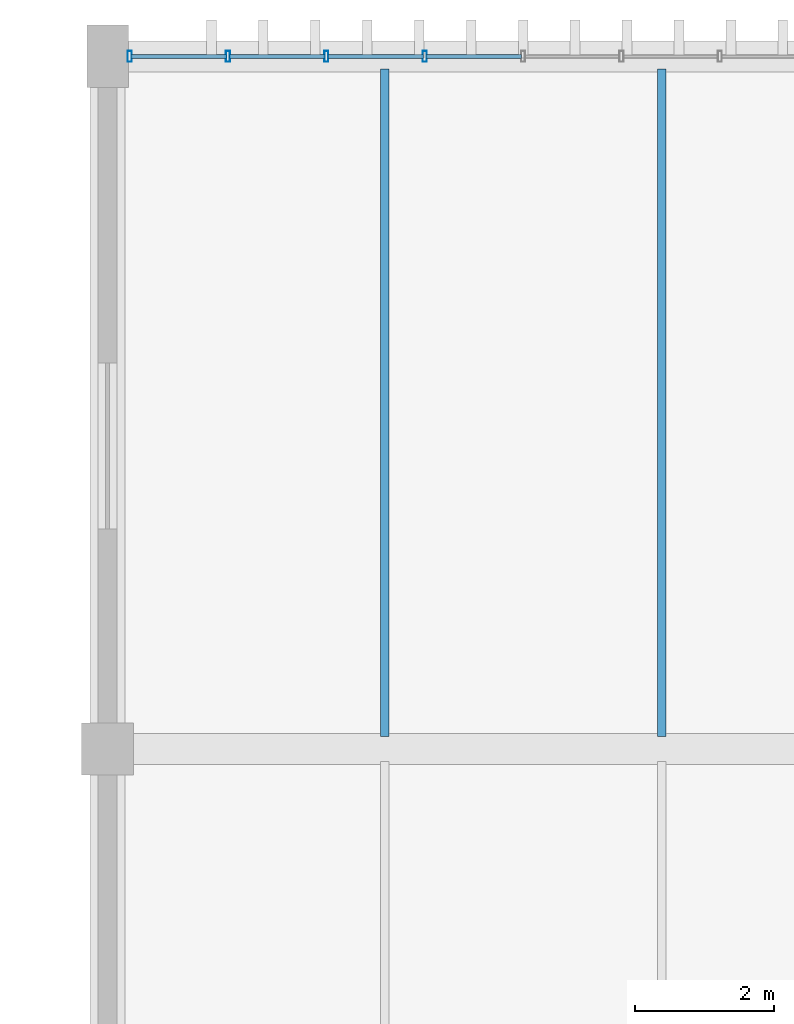
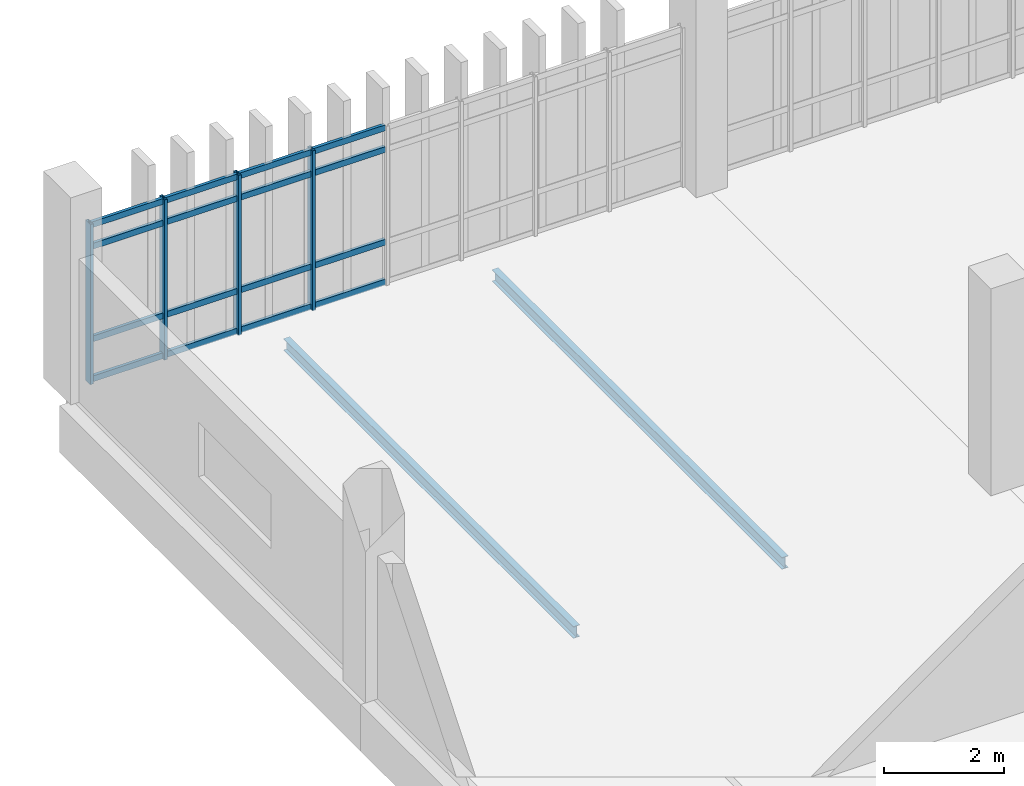
# One storey, part 29 of 111: 20 members, 2 beams, 1 element without a shape of its own.
"""IFC4 building model written with IfcOpenShell, lengths in metres."""

from ifc_helpers import new_model, si_unit, direction, frame, origin, origin_2d, place, context, subcontext, project, spatial, hollow_rectangle, i_section, extrude, material, layer, layer_set, material_profile, profile_set, type_object, element, aggregate, save


model = new_model("IFC4")

# Units and contexts
model_context = context("Model", 3, precision=1e-05, world=origin(), true_north=direction((0.0, 1.0)))
body_context = subcontext(model_context, "Body", "Model", "MODEL_VIEW")
ifc_project = project(units=[si_unit("LENGTHUNIT", "METRE"), si_unit("AREAUNIT", "SQUARE_METRE"), si_unit("VOLUMEUNIT", "CUBIC_METRE"), si_unit("PLANEANGLEUNIT", "RADIAN"), si_unit("MASSUNIT", "GRAM", prefix="KILO")], contexts=[model_context])

# Site, building, storey
site_placement = place(None, origin())
site = spatial("IfcSite", under=ifc_project, at=site_placement, CompositionType="ELEMENT")
building_placement = place(site_placement, origin())
building = spatial("IfcBuilding", under=site, at=building_placement, Name="Mersad Railyard Sports Hall", CompositionType="ELEMENT")
storey_placement = place(building_placement, frame((0.0, 0.0, 9.0)))
storey = spatial("IfcBuildingStorey", under=building, at=storey_placement, Name="L02", CompositionType="ELEMENT", Elevation=9.0)

# Curtain wall, members
ifc_material_1 = material(Name="Aluminium 6063-T6", Category="aluminium")
ifc_layer = layer(ifc_material_1, 0.159912109375)
ifc_layer_set = layer_set([ifc_layer], Name="Aluminium 6063-T6")
curtain_wall_type = type_object("IfcCurtainWallType", Name="ARC-CW-CW52", PredefinedType="USERDEFINED", material=ifc_layer_set)
curtain_wall_placement = place(storey_placement, origin())
curtain_wall = element("IfcCurtainWall", 1, at=curtain_wall_placement, inside=storey, type_object=curtain_wall_type, Name="Curtain wall CW52-0138", ObjectType="CURTAIN WALL", PredefinedType="USERDEFINED")
ifc_material_profile_1 = material_profile(ifc_material_1, hollow_rectangle(XDim=0.06005859375, YDim=0.159912109375, WallThickness=0.00390625, at=origin_2d()), Name="AL MULLION 60x160x4")
ifc_profile_set_1 = profile_set([ifc_material_profile_1], Name="Aluminium 6063-T6")
member_type_1 = type_object("IfcMemberType", Name="ARC-CW-MUL01", PredefinedType="MULLION", material=ifc_profile_set_1)
member_1_placement = place(storey_placement, frame((43.320068359375, 115.0, -0.02001953125), z_axis=(0.0, 0.0, 1.0), x_axis=(1.0, 0.0, 0.0)))
member_1 = element("IfcMember", 2, at=member_1_placement, type_object=member_type_1, Name="CW52 Mullion 1", PredefinedType="MULLION", context=body_context, shape_type="SweptSolid", body=[
    extrude(hollow_rectangle(XDim=0.06005859375, YDim=0.159912109375, WallThickness=0.00390625, at=origin_2d()), origin(), (0.0, 0.0, 1.0), 3.25),
])
member_2_placement = place(storey_placement, frame((44.739990234375, 115.0, -0.02001953125), z_axis=(0.0, 0.0, 1.0), x_axis=(1.0, 0.0, 0.0)))
member_2 = element("IfcMember", 3, at=member_2_placement, type_object=member_type_1, Name="CW52 Mullion 2", PredefinedType="MULLION", context=body_context, shape_type="SweptSolid", body=[
    extrude(hollow_rectangle(XDim=0.06005859375, YDim=0.159912109375, WallThickness=0.00390625, at=origin_2d()), origin(), (0.0, 0.0, 1.0), 3.25),
])
member_3_placement = place(storey_placement, frame((46.159912109375, 115.0, -0.02001953125), z_axis=(0.0, 0.0, 1.0), x_axis=(1.0, 0.0, 0.0)))
member_3 = element("IfcMember", 4, at=member_3_placement, type_object=member_type_1, Name="CW52 Mullion 3", PredefinedType="MULLION", context=body_context, shape_type="SweptSolid", body=[
    extrude(hollow_rectangle(XDim=0.06005859375, YDim=0.159912109375, WallThickness=0.00390625, at=origin_2d()), origin(), (0.0, 0.0, 1.0), 3.25),
])
member_4_placement = place(storey_placement, frame((47.580078125, 115.0, -0.02001953125), z_axis=(0.0, 0.0, 1.0), x_axis=(1.0, 0.0, 0.0)))
member_4 = element("IfcMember", 5, at=member_4_placement, type_object=member_type_1, Name="CW52 Mullion 4", PredefinedType="MULLION", context=body_context, shape_type="SweptSolid", body=[
    extrude(hollow_rectangle(XDim=0.06005859375, YDim=0.159912109375, WallThickness=0.00390625, at=origin_2d()), origin(), (0.0, 0.0, 1.0), 3.25),
])
ifc_material_profile_2 = material_profile(ifc_material_1, hollow_rectangle(XDim=0.06005859375, YDim=0.1201171875, WallThickness=0.00390625, at=origin_2d()), Name="AL TRANSOM 60x120x4")
ifc_profile_set_2 = profile_set([ifc_material_profile_2], Name="Aluminium 6063-T6")
member_type_2 = type_object("IfcMemberType", Name="ARC-CW-TRN01", PredefinedType="USERDEFINED", material=ifc_profile_set_2)
member_5_placement = place(storey_placement, frame((43.340087890625, 115.0, 0.0400390625), z_axis=(1.0, 0.0, 0.0), x_axis=(0.0, 1.0, 0.0)))
member_5 = element("IfcMember", 6, at=member_5_placement, type_object=member_type_2, Name="CW52 Transom 1-1", ObjectType="TRANSOM", PredefinedType="USERDEFINED", context=body_context, shape_type="SweptSolid", body=[
    extrude(hollow_rectangle(XDim=0.06005859375, YDim=0.1201171875, WallThickness=0.00390625, at=origin_2d()), origin(), (0.0, 0.0, 1.0), 1.3798828125),
])
member_6_placement = place(storey_placement, frame((44.760009765625, 115.0, 0.0400390625), z_axis=(1.0, 0.0, 0.0), x_axis=(0.0, 1.0, 0.0)))
member_6 = element("IfcMember", 7, at=member_6_placement, type_object=member_type_2, Name="CW52 Transom 1-2", ObjectType="TRANSOM", PredefinedType="USERDEFINED", context=body_context, shape_type="SweptSolid", body=[
    extrude(hollow_rectangle(XDim=0.06005859375, YDim=0.1201171875, WallThickness=0.00390625, at=origin_2d()), origin(), (0.0, 0.0, 1.0), 1.3798828125),
])
member_7_placement = place(storey_placement, frame((46.179931640625, 115.0, 0.0400390625), z_axis=(1.0, 0.0, 0.0), x_axis=(0.0, 1.0, 0.0)))
member_7 = element("IfcMember", 8, at=member_7_placement, type_object=member_type_2, Name="CW52 Transom 1-3", ObjectType="TRANSOM", PredefinedType="USERDEFINED", context=body_context, shape_type="SweptSolid", body=[
    extrude(hollow_rectangle(XDim=0.06005859375, YDim=0.1201171875, WallThickness=0.00390625, at=origin_2d()), origin(), (0.0, 0.0, 1.0), 1.380126953125),
])
member_8_placement = place(storey_placement, frame((47.60009765625, 115.0, 0.0400390625), z_axis=(1.0, 0.0, 0.0), x_axis=(0.0, 1.0, 0.0)))
member_8 = element("IfcMember", 9, at=member_8_placement, type_object=member_type_2, Name="CW52 Transom 1-4", ObjectType="TRANSOM", PredefinedType="USERDEFINED", context=body_context, shape_type="SweptSolid", body=[
    extrude(hollow_rectangle(XDim=0.06005859375, YDim=0.1201171875, WallThickness=0.00390625, at=origin_2d()), origin(), (0.0, 0.0, 1.0), 1.3798828125),
])
member_9_placement = place(storey_placement, frame((43.340087890625, 115.0, 0.85009765625), z_axis=(1.0, 0.0, 0.0), x_axis=(0.0, 1.0, 0.0)))
member_9 = element("IfcMember", 10, at=member_9_placement, type_object=member_type_2, Name="CW52 Transom 2-1", ObjectType="TRANSOM", PredefinedType="USERDEFINED", context=body_context, shape_type="SweptSolid", body=[
    extrude(hollow_rectangle(XDim=0.06005859375, YDim=0.1201171875, WallThickness=0.00390625, at=origin_2d()), origin(), (0.0, 0.0, 1.0), 1.3798828125),
])
member_10_placement = place(storey_placement, frame((44.760009765625, 115.0, 0.85009765625), z_axis=(1.0, 0.0, 0.0), x_axis=(0.0, 1.0, 0.0)))
member_10 = element("IfcMember", 11, at=member_10_placement, type_object=member_type_2, Name="CW52 Transom 2-2", ObjectType="TRANSOM", PredefinedType="USERDEFINED", context=body_context, shape_type="SweptSolid", body=[
    extrude(hollow_rectangle(XDim=0.06005859375, YDim=0.1201171875, WallThickness=0.00390625, at=origin_2d()), origin(), (0.0, 0.0, 1.0), 1.3798828125),
])
member_11_placement = place(storey_placement, frame((46.179931640625, 115.0, 0.85009765625), z_axis=(1.0, 0.0, 0.0), x_axis=(0.0, 1.0, 0.0)))
member_11 = element("IfcMember", 12, at=member_11_placement, type_object=member_type_2, Name="CW52 Transom 2-3", ObjectType="TRANSOM", PredefinedType="USERDEFINED", context=body_context, shape_type="SweptSolid", body=[
    extrude(hollow_rectangle(XDim=0.06005859375, YDim=0.1201171875, WallThickness=0.00390625, at=origin_2d()), origin(), (0.0, 0.0, 1.0), 1.380126953125),
])
member_12_placement = place(storey_placement, frame((47.60009765625, 115.0, 0.85009765625), z_axis=(1.0, 0.0, 0.0), x_axis=(0.0, 1.0, 0.0)))
member_12 = element("IfcMember", 13, at=member_12_placement, type_object=member_type_2, Name="CW52 Transom 2-4", ObjectType="TRANSOM", PredefinedType="USERDEFINED", context=body_context, shape_type="SweptSolid", body=[
    extrude(hollow_rectangle(XDim=0.06005859375, YDim=0.1201171875, WallThickness=0.00390625, at=origin_2d()), origin(), (0.0, 0.0, 1.0), 1.3798828125),
])
member_13_placement = place(storey_placement, frame((43.340087890625, 115.0, 2.72998046875), z_axis=(1.0, 0.0, 0.0), x_axis=(0.0, 1.0, 0.0)))
member_13 = element("IfcMember", 14, at=member_13_placement, type_object=member_type_2, Name="CW52 Transom 3-1", ObjectType="TRANSOM", PredefinedType="USERDEFINED", context=body_context, shape_type="SweptSolid", body=[
    extrude(hollow_rectangle(XDim=0.06005859375, YDim=0.1201171875, WallThickness=0.00390625, at=origin_2d()), origin(), (0.0, 0.0, 1.0), 1.3798828125),
])
member_14_placement = place(storey_placement, frame((44.760009765625, 115.0, 2.72998046875), z_axis=(1.0, 0.0, 0.0), x_axis=(0.0, 1.0, 0.0)))
member_14 = element("IfcMember", 15, at=member_14_placement, type_object=member_type_2, Name="CW52 Transom 3-2", ObjectType="TRANSOM", PredefinedType="USERDEFINED", context=body_context, shape_type="SweptSolid", body=[
    extrude(hollow_rectangle(XDim=0.06005859375, YDim=0.1201171875, WallThickness=0.00390625, at=origin_2d()), origin(), (0.0, 0.0, 1.0), 1.3798828125),
])
member_15_placement = place(storey_placement, frame((46.179931640625, 115.0, 2.72998046875), z_axis=(1.0, 0.0, 0.0), x_axis=(0.0, 1.0, 0.0)))
member_15 = element("IfcMember", 16, at=member_15_placement, type_object=member_type_2, Name="CW52 Transom 3-3", ObjectType="TRANSOM", PredefinedType="USERDEFINED", context=body_context, shape_type="SweptSolid", body=[
    extrude(hollow_rectangle(XDim=0.06005859375, YDim=0.1201171875, WallThickness=0.00390625, at=origin_2d()), origin(), (0.0, 0.0, 1.0), 1.380126953125),
])
member_16_placement = place(storey_placement, frame((47.60009765625, 115.0, 2.72998046875), z_axis=(1.0, 0.0, 0.0), x_axis=(0.0, 1.0, 0.0)))
member_16 = element("IfcMember", 17, at=member_16_placement, type_object=member_type_2, Name="CW52 Transom 3-4", ObjectType="TRANSOM", PredefinedType="USERDEFINED", context=body_context, shape_type="SweptSolid", body=[
    extrude(hollow_rectangle(XDim=0.06005859375, YDim=0.1201171875, WallThickness=0.00390625, at=origin_2d()), origin(), (0.0, 0.0, 1.0), 1.3798828125),
])
member_17_placement = place(storey_placement, frame((43.340087890625, 115.0, 3.169921875), z_axis=(1.0, 0.0, 0.0), x_axis=(0.0, 1.0, 0.0)))
member_17 = element("IfcMember", 18, at=member_17_placement, type_object=member_type_2, Name="CW52 Transom 4-1", ObjectType="TRANSOM", PredefinedType="USERDEFINED", context=body_context, shape_type="SweptSolid", body=[
    extrude(hollow_rectangle(XDim=0.06005859375, YDim=0.1201171875, WallThickness=0.00390625, at=origin_2d()), origin(), (0.0, 0.0, 1.0), 1.3798828125),
])
member_18_placement = place(storey_placement, frame((44.760009765625, 115.0, 3.169921875), z_axis=(1.0, 0.0, 0.0), x_axis=(0.0, 1.0, 0.0)))
member_18 = element("IfcMember", 19, at=member_18_placement, type_object=member_type_2, Name="CW52 Transom 4-2", ObjectType="TRANSOM", PredefinedType="USERDEFINED", context=body_context, shape_type="SweptSolid", body=[
    extrude(hollow_rectangle(XDim=0.06005859375, YDim=0.1201171875, WallThickness=0.00390625, at=origin_2d()), origin(), (0.0, 0.0, 1.0), 1.3798828125),
])
member_19_placement = place(storey_placement, frame((46.179931640625, 115.0, 3.169921875), z_axis=(1.0, 0.0, 0.0), x_axis=(0.0, 1.0, 0.0)))
member_19 = element("IfcMember", 20, at=member_19_placement, type_object=member_type_2, Name="CW52 Transom 4-3", ObjectType="TRANSOM", PredefinedType="USERDEFINED", context=body_context, shape_type="SweptSolid", body=[
    extrude(hollow_rectangle(XDim=0.06005859375, YDim=0.1201171875, WallThickness=0.00390625, at=origin_2d()), origin(), (0.0, 0.0, 1.0), 1.380126953125),
])
member_20_placement = place(storey_placement, frame((47.60009765625, 115.0, 3.169921875), z_axis=(1.0, 0.0, 0.0), x_axis=(0.0, 1.0, 0.0)))
member_20 = element("IfcMember", 21, at=member_20_placement, type_object=member_type_2, Name="CW52 Transom 4-4", ObjectType="TRANSOM", PredefinedType="USERDEFINED", context=body_context, shape_type="SweptSolid", body=[
    extrude(hollow_rectangle(XDim=0.06005859375, YDim=0.1201171875, WallThickness=0.00390625, at=origin_2d()), origin(), (0.0, 0.0, 1.0), 1.3798828125),
])
aggregate(curtain_wall, [member_1, member_2, member_3, member_4, member_5, member_6, member_7, member_8, member_9, member_10, member_11, member_12, member_13, member_14, member_15, member_16, member_17, member_18, member_19, member_20])

# Beams
ifc_material_2 = material(Name="Steel S355", Category="steel")
ifc_material_profile_3 = material_profile(ifc_material_2, i_section(OverallWidth=0.1201171875, OverallDepth=0.239990234375, WebThickness=0.006103515625, FlangeThickness=0.009765625, at=origin_2d()), Name="IPE 240")
ifc_profile_set_3 = profile_set([ifc_material_profile_3], Name="Steel S355")
beam_type = type_object("IfcBeamType", Name="STR-BM-SB03", PredefinedType="BEAM", material=ifc_profile_set_3)
for number, where, z_axis, x_axis, name in (
    (22, (47.0, 105.179931640625, -0.419921875), (0.0, 1.0, 0.0), (-1.0, 0.0, 0.0), "Beam SB03-1153"),
    (23, (51.0, 105.179931640625, -0.419921875), (0.0, 1.0, 0.0), (-1.0, 0.0, 0.0), "Beam SB03-1154"),
):
    element("IfcBeam", number, at=place(storey_placement, frame(where, z_axis=z_axis, x_axis=x_axis)), inside=storey, type_object=beam_type, Name=name, PredefinedType="BEAM", context=body_context, shape_type="SweptSolid", body=[
        extrude(i_section(OverallWidth=0.1201171875, OverallDepth=0.239990234375, WebThickness=0.006103515625, FlangeThickness=0.009765625, at=origin_2d()), origin(), (0.0, 0.0, 1.0), 9.64013671875),
    ])

save(model, "model.ifc")
